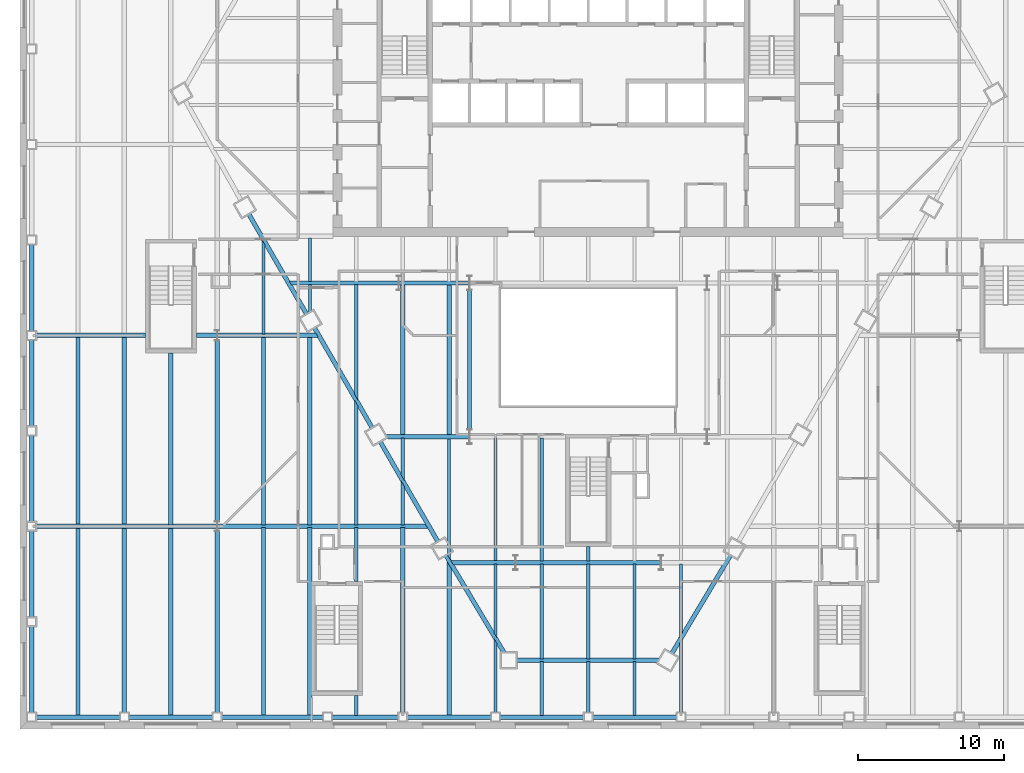
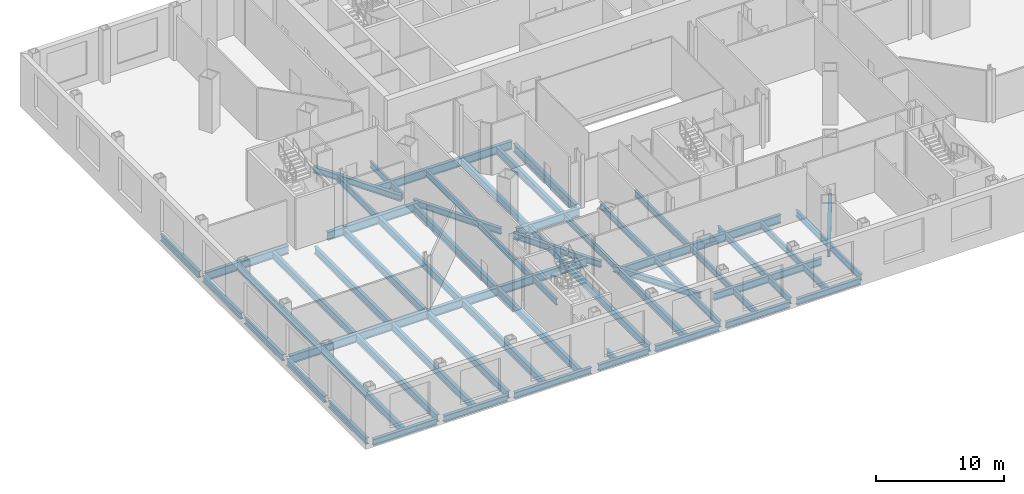
# One storey, part 4 of 20: 68 beams.
"""IFC4 building model written with IfcOpenShell, lengths in metres."""

from ifc_helpers import new_model, si_unit, direction, frame, origin, origin_2d, place, context, subcontext, project, spatial, i_section, extrude, clip, halfspace, material, material_profile, profile_set, type_object, element, save


model = new_model("IFC4")

# Units and contexts
model_context = context("Model", 3, precision=1e-05, world=origin(), true_north=direction((0.0, 1.0)))
body_context = subcontext(model_context, "Body", "Model", "MODEL_VIEW")
ifc_project = project(units=[si_unit("LENGTHUNIT", "METRE"), si_unit("AREAUNIT", "SQUARE_METRE"), si_unit("VOLUMEUNIT", "CUBIC_METRE"), si_unit("PLANEANGLEUNIT", "RADIAN"), si_unit("MASSUNIT", "GRAM", prefix="KILO")], contexts=[model_context])

# Site, building, storey
site_placement = place(None, origin())
site = spatial("IfcSite", under=ifc_project, at=site_placement, CompositionType="ELEMENT")
building_placement = place(site_placement, origin())
building = spatial("IfcBuilding", under=site, at=building_placement, Name="Njiva Tower", CompositionType="ELEMENT")
storey_placement = place(building_placement, frame((0.0, 0.0, 18.6)))
storey = spatial("IfcBuildingStorey", under=building, at=storey_placement, Name="L03", CompositionType="ELEMENT", Elevation=18.6)

# Beams
ifc_material = material(Name="Steel S355 J2", Category="steel")
ifc_material_profile_1 = material_profile(ifc_material, i_section(OverallWidth=0.3, OverallDepth=0.69, WebThickness=0.0145, FlangeThickness=0.027, at=origin_2d()), Name="HEA 700")
ifc_profile_set_1 = profile_set([ifc_material_profile_1], Name="Steel S355 J2")
beam_type_1 = type_object("IfcBeamType", Name="B1 Long-span spandrel beam HEA 700", PredefinedType="SPANDREL", material=ifc_profile_set_1)
beam_1_placement = place(storey_placement, frame((-4.911, -29.096, -0.565), z_axis=(1.0, 0.0, 0.0), x_axis=(0.0, 1.0, 0.0)))
element("IfcBeam", 1, at=beam_1_placement, inside=storey, type_object=beam_type_1, Name="Long-span spandrel beam L03-B160", PredefinedType="SPANDREL", context=body_context, shape_type="Clipping", body=[
    clip(extrude(i_section(OverallWidth=0.3, OverallDepth=0.69, WebThickness=0.0145, FlangeThickness=0.027, at=origin_2d()), origin(), (0.0, 0.0, 1.0), 9.844), halfspace(frame((-0.0254, 0.0, 9.7223), z_axis=(-0.499998009787, 0.0, 0.866026552831), x_axis=(0.0, 1.0, 0.0)), False)),
])
ifc_material_profile_2 = material_profile(ifc_material, i_section(OverallWidth=0.3, OverallDepth=0.69, WebThickness=0.0145, FlangeThickness=0.027, at=origin_2d()), Name="HEA 700")
ifc_profile_set_2 = profile_set([ifc_material_profile_2], Name="Steel S355 J2")
beam_type_2 = type_object("IfcBeamType", Name="B12 Long-span floor joist HEA 700", PredefinedType="JOIST", material=ifc_profile_set_2)
for number, where, z_axis, x_axis, name in (
    (2, (-35.017, -6.9, -0.565), (0.0, -1.0, 0.0), (1.0, 0.0, 0.0), "Long-span floor joist L03-B037"),
    (3, (-35.017, -20.0, -0.565), (0.0, -1.0, 0.0), (1.0, 0.0, 0.0), "Long-span floor joist L03-B036"),
    (4, (-31.833, -6.9, -0.565), (0.0, -1.0, 0.0), (1.0, 0.0, 0.0), "Long-span floor joist L03-B041"),
):
    element("IfcBeam", number, at=place(storey_placement, frame(where, z_axis=z_axis, x_axis=x_axis)), inside=storey, type_object=beam_type_2, Name=name, PredefinedType="JOIST", context=body_context, shape_type="SweptSolid", body=[
        extrude(i_section(OverallWidth=0.3, OverallDepth=0.69, WebThickness=0.0145, FlangeThickness=0.027, at=origin_2d()), origin(), (0.0, 0.0, 1.0), 12.9),
    ])
beam_2_placement = place(storey_placement, frame((-31.833, -20.0, -0.565), z_axis=(0.0, -1.0, 0.0), x_axis=(1.0, 0.0, 0.0)))
element("IfcBeam", 5, at=beam_2_placement, inside=storey, type_object=beam_type_2, Name="Long-span floor joist L03-B040", PredefinedType="JOIST", context=body_context, shape_type="SweptSolid", body=[
    extrude(i_section(OverallWidth=0.3, OverallDepth=0.69, WebThickness=0.0145, FlangeThickness=0.027, at=origin_2d()), origin(), (0.0, 0.0, 1.0), 12.7),
])
beam_3_placement = place(storey_placement, frame((-28.65, -8.0, -0.565), z_axis=(0.0, -1.0, 0.0), x_axis=(1.0, 0.0, 0.0)))
element("IfcBeam", 6, at=beam_3_placement, inside=storey, type_object=beam_type_2, Name="Long-span floor joist L03-B045", PredefinedType="JOIST", context=body_context, shape_type="SweptSolid", body=[
    extrude(i_section(OverallWidth=0.3, OverallDepth=0.69, WebThickness=0.0145, FlangeThickness=0.027, at=origin_2d()), origin(), (0.0, 0.0, 1.0), 11.8),
])
beam_4_placement = place(storey_placement, frame((-28.65, -20.0, -0.565), z_axis=(0.0, -1.0, 0.0), x_axis=(1.0, 0.0, 0.0)))
element("IfcBeam", 7, at=beam_4_placement, inside=storey, type_object=beam_type_2, Name="Long-span floor joist L03-B044", PredefinedType="JOIST", context=body_context, shape_type="SweptSolid", body=[
    extrude(i_section(OverallWidth=0.3, OverallDepth=0.69, WebThickness=0.0145, FlangeThickness=0.027, at=origin_2d()), origin(), (0.0, 0.0, 1.0), 12.9),
])
beam_5_placement = place(storey_placement, frame((-25.467, -7.108, -0.565), z_axis=(0.0, -1.0, 0.0), x_axis=(1.0, 0.0, 0.0)))
element("IfcBeam", 8, at=beam_5_placement, inside=storey, type_object=beam_type_2, Name="Long-span floor joist L03-B049", PredefinedType="JOIST", context=body_context, shape_type="SweptSolid", body=[
    extrude(i_section(OverallWidth=0.3, OverallDepth=0.69, WebThickness=0.0145, FlangeThickness=0.027, at=origin_2d()), origin(), (0.0, 0.0, 1.0), 12.484),
])
beam_6_placement = place(storey_placement, frame((-25.467, -20.208, -0.565), z_axis=(0.0, -1.0, 0.0), x_axis=(1.0, 0.0, 0.0)))
element("IfcBeam", 9, at=beam_6_placement, inside=storey, type_object=beam_type_2, Name="Long-span floor joist L03-B048", PredefinedType="JOIST", context=body_context, shape_type="SweptSolid", body=[
    extrude(i_section(OverallWidth=0.3, OverallDepth=0.69, WebThickness=0.0145, FlangeThickness=0.027, at=origin_2d()), origin(), (0.0, 0.0, 1.0), 12.492),
])
for number, where, z_axis, x_axis, name in (
    (10, (-22.283, -6.9, -0.565), (0.0, -1.0, 0.0), (1.0, 0.0, 0.0), "Long-span floor joist L03-B053"),
    (11, (-22.283, -20.001, -0.565), (0.0, -1.0, 0.0), (1.0, 0.0, 0.0), "Long-span floor joist L03-B052"),
    (12, (-19.1, -6.9, -0.565), (0.0, -1.0, 0.0), (1.0, 0.0, 0.0), "Long-span floor joist L03-B056"),
    (13, (-19.1, -20.001, -0.565), (0.0, -1.0, 0.0), (1.0, 0.0, 0.0), "Long-span floor joist L03-B055"),
):
    element("IfcBeam", number, at=place(storey_placement, frame(where, z_axis=z_axis, x_axis=x_axis)), inside=storey, type_object=beam_type_2, Name=name, PredefinedType="JOIST", context=body_context, shape_type="SweptSolid", body=[
        extrude(i_section(OverallWidth=0.3, OverallDepth=0.69, WebThickness=0.0145, FlangeThickness=0.027, at=origin_2d()), origin(), (0.0, 0.0, 1.0), 12.899),
    ])
beam_7_placement = place(storey_placement, frame((-12.733, -3.3, -0.565), z_axis=(0.0, -1.0, 0.0), x_axis=(1.0, 0.0, 0.0)))
element("IfcBeam", 14, at=beam_7_placement, inside=storey, type_object=beam_type_2, Name="Long-span floor joist L03-B067", PredefinedType="JOIST", context=body_context, shape_type="SweptSolid", body=[
    extrude(i_section(OverallWidth=0.3, OverallDepth=0.69, WebThickness=0.0145, FlangeThickness=0.027, at=origin_2d()), origin(), (0.0, 0.0, 1.0), 10.35),
])
beam_8_placement = place(storey_placement, frame((-12.733, -20.001, -0.565), z_axis=(0.0, -1.0, 0.0), x_axis=(1.0, 0.0, 0.0)))
element("IfcBeam", 15, at=beam_8_placement, inside=storey, type_object=beam_type_2, Name="Long-span floor joist L03-B064", PredefinedType="JOIST", context=body_context, shape_type="SweptSolid", body=[
    extrude(i_section(OverallWidth=0.3, OverallDepth=0.69, WebThickness=0.0145, FlangeThickness=0.027, at=origin_2d()), origin(), (0.0, 0.0, 1.0), 12.699),
])
beam_9_placement = place(storey_placement, frame((-9.55, -3.3, -0.565), z_axis=(0.0, -1.0, 0.0), x_axis=(1.0, 0.0, 0.0)))
element("IfcBeam", 16, at=beam_9_placement, inside=storey, type_object=beam_type_2, Name="Long-span floor joist L03-B071", PredefinedType="JOIST", context=body_context, shape_type="SweptSolid", body=[
    extrude(i_section(OverallWidth=0.3, OverallDepth=0.69, WebThickness=0.0145, FlangeThickness=0.027, at=origin_2d()), origin(), (0.0, 0.0, 1.0), 10.35),
])
beam_10_placement = place(storey_placement, frame((-9.55, -22.243, -0.565), z_axis=(0.0, -1.0, 0.0), x_axis=(1.0, 0.0, 0.0)))
element("IfcBeam", 17, at=beam_10_placement, inside=storey, type_object=beam_type_2, Name="Long-span floor joist L03-B069", PredefinedType="JOIST", context=body_context, shape_type="Clipping", body=[
    clip(extrude(i_section(OverallWidth=0.3, OverallDepth=0.69, WebThickness=0.0145, FlangeThickness=0.027, at=origin_2d()), origin(), (0.0, 0.0, 1.0), 10.657), halfspace(frame((0.0429, 0.0, 0.2758), z_axis=(0.858483100847, 0.0, -0.512841852388), x_axis=(0.0, -1.0, 0.0)), False)),
])
ifc_material_profile_3 = material_profile(ifc_material, i_section(OverallWidth=0.22, OverallDepth=0.6, WebThickness=0.012, FlangeThickness=0.019, at=origin_2d()), Name="IPE 600")
ifc_profile_set_3 = profile_set([ifc_material_profile_3], Name="Steel S355 J2")
beam_type_3 = type_object("IfcBeamType", Name="B13 Floor joist IPE 600", PredefinedType="JOIST", material=ifc_profile_set_3)
beam_11_placement = place(storey_placement, frame((-22.283, -0.215, -0.52), z_axis=(0.0, -1.0, 0.0), x_axis=(1.0, 0.0, 0.0)))
element("IfcBeam", 18, at=beam_11_placement, inside=storey, type_object=beam_type_3, Name="Floor joist L03-B054", PredefinedType="JOIST", context=body_context, shape_type="Clipping", body=[
    clip(extrude(i_section(OverallWidth=0.22, OverallDepth=0.6, WebThickness=0.012, FlangeThickness=0.019, at=origin_2d()), origin(), (0.0, 0.0, 1.0), 6.485), halfspace(frame((0.043, 0.0, 0.2859), z_axis=(0.866026552831, 0.0, -0.499998009787), x_axis=(0.0, -1.0, 0.0)), False)),
])
beam_12_placement = place(storey_placement, frame((-15.917, -3.3, -0.52), z_axis=(0.0, -1.0, 0.0), x_axis=(1.0, 0.0, 0.0)))
element("IfcBeam", 19, at=beam_12_placement, inside=storey, type_object=beam_type_3, Name="Floor joist L03-B062", PredefinedType="JOIST", context=body_context, shape_type="Clipping", body=[
    clip(extrude(i_section(OverallWidth=0.22, OverallDepth=0.6, WebThickness=0.012, FlangeThickness=0.019, at=origin_2d()), origin(), (0.0, 0.0, 1.0), 7.964), halfspace(frame((-0.043, 0.0, 7.6783), z_axis=(-0.866026552831, 0.0, 0.499998009787), x_axis=(0.0, 1.0, 0.0)), False)),
])
beam_13_placement = place(storey_placement, frame((-15.917, -11.242, -0.52), z_axis=(0.0, -1.0, 0.0), x_axis=(1.0, 0.0, 0.0)))
element("IfcBeam", 20, at=beam_13_placement, inside=storey, type_object=beam_type_3, Name="Floor joist L03-B061", PredefinedType="JOIST", context=body_context, shape_type="Clipping", body=[
    clip(extrude(i_section(OverallWidth=0.22, OverallDepth=0.6, WebThickness=0.012, FlangeThickness=0.019, at=origin_2d()), origin(), (0.0, 0.0, 1.0), 8.557), halfspace(frame((0.0436, 0.0, 0.2863), z_axis=(0.866026552831, 0.0, -0.499998009787), x_axis=(0.0, -1.0, 0.0)), False)),
])
beam_14_placement = place(storey_placement, frame((-9.55, -13.85, -0.52), z_axis=(0.0, -1.0, 0.0), x_axis=(1.0, 0.0, 0.0)))
element("IfcBeam", 21, at=beam_14_placement, inside=storey, type_object=beam_type_3, Name="Floor joist L03-B070", PredefinedType="JOIST", context=body_context, shape_type="Clipping", body=[
    clip(extrude(i_section(OverallWidth=0.22, OverallDepth=0.6, WebThickness=0.012, FlangeThickness=0.019, at=origin_2d()), origin(), (0.0, 0.0, 1.0), 8.411), halfspace(frame((-0.0429, 0.0, 8.1351), z_axis=(-0.858483100847, 0.0, 0.512841852388), x_axis=(0.0, 1.0, 0.0)), False)),
])
beam_15_placement = place(storey_placement, frame((-6.367, -13.851, -0.52), z_axis=(0.0, -1.0, 0.0), x_axis=(1.0, 0.0, 0.0)))
element("IfcBeam", 22, at=beam_15_placement, inside=storey, type_object=beam_type_3, Name="Floor joist L03-B075", PredefinedType="JOIST", context=body_context, shape_type="SweptSolid", body=[
    extrude(i_section(OverallWidth=0.22, OverallDepth=0.6, WebThickness=0.012, FlangeThickness=0.019, at=origin_2d()), origin(), (0.0, 0.0, 1.0), 8.449),
])
beam_16_placement = place(storey_placement, frame((-6.367, -22.5, -0.52), z_axis=(0.0, -1.0, 0.0), x_axis=(1.0, 0.0, 0.0)))
element("IfcBeam", 23, at=beam_16_placement, inside=storey, type_object=beam_type_3, Name="Floor joist L03-B074", PredefinedType="JOIST", context=body_context, shape_type="Clipping", body=[
    clip(extrude(i_section(OverallWidth=0.22, OverallDepth=0.6, WebThickness=0.012, FlangeThickness=0.019, at=origin_2d()), origin(), (0.0, 0.0, 1.0), 5.09), halfspace(frame((-0.0426, 0.0, 4.8139), z_axis=(-0.858483100847, 0.0, 0.512841852388), x_axis=(0.0, 1.0, 0.0)), False)),
])
beam_17_placement = place(storey_placement, frame((-6.367, -27.572, -0.52), z_axis=(0.0, -1.0, 0.0), x_axis=(1.0, 0.0, 0.0)))
element("IfcBeam", 24, at=beam_17_placement, inside=storey, type_object=beam_type_3, Name="Floor joist L03-B073", PredefinedType="JOIST", context=body_context, shape_type="Clipping", body=[
    clip(extrude(i_section(OverallWidth=0.22, OverallDepth=0.6, WebThickness=0.012, FlangeThickness=0.019, at=origin_2d()), origin(), (0.0, 0.0, 1.0), 5.128), halfspace(frame((0.0433, 0.0, 0.2756), z_axis=(0.858483100847, 0.0, -0.512841852388), x_axis=(0.0, -1.0, 0.0)), False)),
])
beam_18_placement = place(storey_placement, frame((-3.183, -13.851, -0.52), z_axis=(0.0, -1.0, 0.0), x_axis=(1.0, 0.0, 0.0)))
element("IfcBeam", 25, at=beam_18_placement, inside=storey, type_object=beam_type_3, Name="Floor joist L03-B079", PredefinedType="JOIST", context=body_context, shape_type="SweptSolid", body=[
    extrude(i_section(OverallWidth=0.22, OverallDepth=0.6, WebThickness=0.012, FlangeThickness=0.019, at=origin_2d()), origin(), (0.0, 0.0, 1.0), 8.449),
])
for number, where, z_axis, x_axis, name in (
    (26, (-3.183, -22.5, -0.52), (0.0, -1.0, 0.0), (1.0, 0.0, 0.0), "Floor joist L03-B078"),
    (27, (0.0, -22.5, -0.52), (0.0, -1.0, 0.0), (1.0, 0.0, 0.0), "Floor joist L03-B082"),
    (28, (3.183, -22.5, -0.52), (0.0, -1.0, 0.0), (1.0, 0.0, 0.0), "Floor joist L03-B086"),
):
    element("IfcBeam", number, at=place(storey_placement, frame(where, z_axis=z_axis, x_axis=x_axis)), inside=storey, type_object=beam_type_3, Name=name, PredefinedType="JOIST", context=body_context, shape_type="SweptSolid", body=[
        extrude(i_section(OverallWidth=0.22, OverallDepth=0.6, WebThickness=0.012, FlangeThickness=0.019, at=origin_2d()), origin(), (0.0, 0.0, 1.0), 6.496),
    ])
beam_19_placement = place(storey_placement, frame((6.367, -22.5, -0.52), z_axis=(0.0, -1.0, 0.0), x_axis=(1.0, 0.0, 0.0)))
element("IfcBeam", 29, at=beam_19_placement, inside=storey, type_object=beam_type_3, Name="Floor joist L03-B090", PredefinedType="JOIST", context=body_context, shape_type="Clipping", body=[
    clip(extrude(i_section(OverallWidth=0.22, OverallDepth=0.6, WebThickness=0.012, FlangeThickness=0.019, at=origin_2d()), origin(), (0.0, 0.0, 1.0), 5.09), halfspace(frame((0.0426, 0.0, 4.8139), z_axis=(0.858483100847, 0.0, 0.512841852388), x_axis=(0.0, 1.0, 0.0)), False)),
])
beam_20_placement = place(storey_placement, frame((6.367, -27.572, -0.52), z_axis=(0.0, -1.0, 0.0), x_axis=(1.0, 0.0, 0.0)))
element("IfcBeam", 30, at=beam_20_placement, inside=storey, type_object=beam_type_3, Name="Floor joist L03-B089", PredefinedType="JOIST", context=body_context, shape_type="Clipping", body=[
    clip(extrude(i_section(OverallWidth=0.22, OverallDepth=0.6, WebThickness=0.012, FlangeThickness=0.019, at=origin_2d()), origin(), (0.0, 0.0, 1.0), 5.128), halfspace(frame((-0.0433, 0.0, 0.2756), z_axis=(-0.858483100847, 0.0, -0.512841852388), x_axis=(0.0, -1.0, 0.0)), False)),
])
ifc_material_profile_4 = material_profile(ifc_material, i_section(OverallWidth=0.22, OverallDepth=0.6, WebThickness=0.012, FlangeThickness=0.019, at=origin_2d()), Name="IPE 600")
ifc_profile_set_4 = profile_set([ifc_material_profile_4], Name="Steel S355 J2")
beam_type_4 = type_object("IfcBeamType", Name="B14 Short-span floor joist IPE 600", PredefinedType="JOIST", material=ifc_profile_set_4)
beam_21_placement = place(storey_placement, frame((-19.1, -0.1, -0.52), z_axis=(0.0, -1.0, 0.0), x_axis=(1.0, 0.0, 0.0)))
element("IfcBeam", 31, at=beam_21_placement, inside=storey, type_object=beam_type_4, Name="Short-span floor joist L03-B058", PredefinedType="JOIST", context=body_context, shape_type="SweptSolid", body=[
    extrude(i_section(OverallWidth=0.22, OverallDepth=0.6, WebThickness=0.012, FlangeThickness=0.019, at=origin_2d()), origin(), (0.0, 0.0, 1.0), 3.0),
])
beam_22_placement = place(storey_placement, frame((-19.1, -3.3, -0.52), z_axis=(0.0, -1.0, 0.0), x_axis=(1.0, 0.0, 0.0)))
element("IfcBeam", 32, at=beam_22_placement, inside=storey, type_object=beam_type_4, Name="Short-span floor joist L03-B057", PredefinedType="JOIST", context=body_context, shape_type="Clipping", body=[
    clip(extrude(i_section(OverallWidth=0.22, OverallDepth=0.6, WebThickness=0.012, FlangeThickness=0.019, at=origin_2d()), origin(), (0.0, 0.0, 1.0), 1.978), halfspace(frame((0.025, 0.0, 1.88), z_axis=(0.499998009787, 0.0, 0.866026552831), x_axis=(0.0, 1.0, 0.0)), False)),
])
beam_23_placement = place(storey_placement, frame((-15.917, -20.001, -0.52), z_axis=(0.0, -1.0, 0.0), x_axis=(1.0, 0.0, 0.0)))
element("IfcBeam", 33, at=beam_23_placement, inside=storey, type_object=beam_type_4, Name="Short-span floor joist L03-B060", PredefinedType="JOIST", context=body_context, shape_type="SweptSolid", body=[
    extrude(i_section(OverallWidth=0.22, OverallDepth=0.6, WebThickness=0.012, FlangeThickness=0.019, at=origin_2d()), origin(), (0.0, 0.0, 1.0), 3.699),
])
beam_24_placement = place(storey_placement, frame((-15.917, -31.5, -0.52), z_axis=(0.0, -1.0, 0.0), x_axis=(1.0, 0.0, 0.0)))
element("IfcBeam", 34, at=beam_24_placement, inside=storey, type_object=beam_type_4, Name="Short-span floor joist L03-B059", PredefinedType="JOIST", context=body_context, shape_type="SweptSolid", body=[
    extrude(i_section(OverallWidth=0.22, OverallDepth=0.6, WebThickness=0.012, FlangeThickness=0.019, at=origin_2d()), origin(), (0.0, 0.0, 1.0), 1.4),
])
beam_25_placement = place(storey_placement, frame((-12.733, -13.85, -0.52), z_axis=(0.0, -1.0, 0.0), x_axis=(1.0, 0.0, 0.0)))
element("IfcBeam", 35, at=beam_25_placement, inside=storey, type_object=beam_type_4, Name="Short-span floor joist L03-B066", PredefinedType="JOIST", context=body_context, shape_type="Clipping", body=[
    clip(extrude(i_section(OverallWidth=0.22, OverallDepth=0.6, WebThickness=0.012, FlangeThickness=0.019, at=origin_2d()), origin(), (0.0, 0.0, 1.0), 2.928), halfspace(frame((-0.0436, 0.0, 2.642), z_axis=(-0.866026552831, 0.0, 0.499998009787), x_axis=(0.0, 1.0, 0.0)), False)),
])
beam_26_placement = place(storey_placement, frame((-12.733, -16.756, -0.52), z_axis=(0.0, -1.0, 0.0), x_axis=(1.0, 0.0, 0.0)))
element("IfcBeam", 36, at=beam_26_placement, inside=storey, type_object=beam_type_4, Name="Short-span floor joist L03-B065", PredefinedType="JOIST", context=body_context, shape_type="Clipping", body=[
    clip(extrude(i_section(OverallWidth=0.22, OverallDepth=0.6, WebThickness=0.012, FlangeThickness=0.019, at=origin_2d()), origin(), (0.0, 0.0, 1.0), 3.043), halfspace(frame((0.043, 0.0, 0.286), z_axis=(0.866026552831, 0.0, -0.499998009787), x_axis=(0.0, -1.0, 0.0)), False)),
])
beam_27_placement = place(storey_placement, frame((-3.183, -29.196, -0.52), z_axis=(0.0, -1.0, 0.0), x_axis=(1.0, 0.0, 0.0)))
element("IfcBeam", 37, at=beam_27_placement, inside=storey, type_object=beam_type_4, Name="Short-span floor joist L03-B077", PredefinedType="JOIST", context=body_context, shape_type="SweptSolid", body=[
    extrude(i_section(OverallWidth=0.22, OverallDepth=0.6, WebThickness=0.012, FlangeThickness=0.019, at=origin_2d()), origin(), (0.0, 0.0, 1.0), 3.704),
])
beam_28_placement = place(storey_placement, frame((0.0, -21.3, -0.52), z_axis=(0.0, -1.0, 0.0), x_axis=(1.0, 0.0, 0.0)))
element("IfcBeam", 38, at=beam_28_placement, inside=storey, type_object=beam_type_4, Name="Short-span floor joist L03-B083", PredefinedType="JOIST", context=body_context, shape_type="SweptSolid", body=[
    extrude(i_section(OverallWidth=0.22, OverallDepth=0.6, WebThickness=0.012, FlangeThickness=0.019, at=origin_2d()), origin(), (0.0, 0.0, 1.0), 1.0),
])
beam_29_placement = place(storey_placement, frame((0.0, -29.196, -0.52), z_axis=(0.0, -1.0, 0.0), x_axis=(1.0, 0.0, 0.0)))
element("IfcBeam", 39, at=beam_29_placement, inside=storey, type_object=beam_type_4, Name="Short-span floor joist L03-B081", PredefinedType="JOIST", context=body_context, shape_type="SweptSolid", body=[
    extrude(i_section(OverallWidth=0.22, OverallDepth=0.6, WebThickness=0.012, FlangeThickness=0.019, at=origin_2d()), origin(), (0.0, 0.0, 1.0), 3.504),
])
beam_30_placement = place(storey_placement, frame((3.183, -29.196, -0.52), z_axis=(0.0, -1.0, 0.0), x_axis=(1.0, 0.0, 0.0)))
element("IfcBeam", 40, at=beam_30_placement, inside=storey, type_object=beam_type_4, Name="Short-span floor joist L03-B085", PredefinedType="JOIST", context=body_context, shape_type="SweptSolid", body=[
    extrude(i_section(OverallWidth=0.22, OverallDepth=0.6, WebThickness=0.012, FlangeThickness=0.019, at=origin_2d()), origin(), (0.0, 0.0, 1.0), 3.704),
])
ifc_material_profile_5 = material_profile(ifc_material, i_section(OverallWidth=0.3, OverallDepth=0.6, WebThickness=0.0155, FlangeThickness=0.03, at=origin_2d()), Name="HEB 600")
ifc_profile_set_5 = profile_set([ifc_material_profile_5], Name="Steel S355 J2")
beam_type_5 = type_object("IfcBeamType", Name="B2 Spandrel beam HEB 600", PredefinedType="SPANDREL", material=ifc_profile_set_5)
beam_31_placement = place(storey_placement, frame((-23.294, 1.524, -0.52), z_axis=(0.500025004646, -0.866010966864, 0.0), x_axis=(0.866010966864, 0.500025004646, 0.0)))
element("IfcBeam", 41, at=beam_31_placement, inside=storey, type_object=beam_type_5, Name="Spandrel beam L03-B150", PredefinedType="SPANDREL", context=body_context, shape_type="SweptSolid", body=[
    extrude(i_section(OverallWidth=0.3, OverallDepth=0.6, WebThickness=0.0155, FlangeThickness=0.03, at=origin_2d()), origin(), (0.0, 0.0, 1.0), 7.9156),
])
beam_32_placement = place(storey_placement, frame((-18.786, -6.283, -0.52), z_axis=(0.499970304126, -0.866042548026, 0.0), x_axis=(0.866042548026, 0.499970304126, 0.0)))
element("IfcBeam", 42, at=beam_32_placement, inside=storey, type_object=beam_type_5, Name="Spandrel beam L03-B152", PredefinedType="SPANDREL", context=body_context, shape_type="SweptSolid", body=[
    extrude(i_section(OverallWidth=0.3, OverallDepth=0.6, WebThickness=0.0155, FlangeThickness=0.03, at=origin_2d()), origin(), (0.0, 0.0, 1.0), 7.9165),
])
beam_33_placement = place(storey_placement, frame((-14.278, -14.091, -0.52), z_axis=(0.499930249268, -0.866065670643, 0.0), x_axis=(0.866065670643, 0.499930249268, 0.0)))
element("IfcBeam", 43, at=beam_33_placement, inside=storey, type_object=beam_type_5, Name="Spandrel beam L03-B154", PredefinedType="SPANDREL", context=body_context, shape_type="SweptSolid", body=[
    extrude(i_section(OverallWidth=0.3, OverallDepth=0.6, WebThickness=0.0155, FlangeThickness=0.03, at=origin_2d()), origin(), (0.0, 0.0, 1.0), 7.9151),
])
beam_34_placement = place(storey_placement, frame((-9.763, -21.896, -0.52), z_axis=(0.512881198595, -0.85845959493, 0.0), x_axis=(0.85845959493, 0.512881198595, 0.0)))
element("IfcBeam", 44, at=beam_34_placement, inside=storey, type_object=beam_type_5, Name="Spandrel beam L03-B157", PredefinedType="SPANDREL", context=body_context, shape_type="Clipping", body=[
    clip(extrude(i_section(OverallWidth=0.3, OverallDepth=0.6, WebThickness=0.0155, FlangeThickness=0.03, at=origin_2d()), origin(), (0.0, 0.0, 1.0), 7.8564), halfspace(frame((-0.0257, 0.0, 7.7311), z_axis=(-0.512881198595, 0.0, 0.85845959493), x_axis=(0.0, 1.0, 0.0)), False)),
])
beam_35_placement = place(storey_placement, frame((5.744, -28.623, -0.52), z_axis=(0.512880901609, 0.858459772362, 0.0), x_axis=(-0.858459772362, 0.512880901609, 0.0)))
element("IfcBeam", 45, at=beam_35_placement, inside=storey, type_object=beam_type_5, Name="Spandrel beam L03-B164", PredefinedType="SPANDREL", context=body_context, shape_type="SweptSolid", body=[
    extrude(i_section(OverallWidth=0.3, OverallDepth=0.6, WebThickness=0.0155, FlangeThickness=0.03, at=origin_2d()), origin(), (0.0, 0.0, 1.0), 7.8361),
])
for number, where, z_axis, x_axis, name in (
    (46, (-38.2, -0.55, -0.52), (0.0, -1.0, 0.0), (1.0, 0.0, 0.0), "Spandrel beam L03-B138"),
    (47, (-38.2, -7.1, -0.52), (0.0, -1.0, 0.0), (1.0, 0.0, 0.0), "Spandrel beam L03-B137"),
    (48, (-38.2, -13.65, -0.52), (0.0, -1.0, 0.0), (1.0, 0.0, 0.0), "Spandrel beam L03-B136"),
    (49, (-38.2, -20.2, -0.52), (0.0, -1.0, 0.0), (1.0, 0.0, 0.0), "Spandrel beam L03-B135"),
    (50, (-38.2, -26.75, -0.52), (0.0, -1.0, 0.0), (1.0, 0.0, 0.0), "Spandrel beam L03-B134"),
):
    element("IfcBeam", number, at=place(storey_placement, frame(where, z_axis=z_axis, x_axis=x_axis)), inside=storey, type_object=beam_type_5, Name=name, PredefinedType="SPANDREL", context=body_context, shape_type="SweptSolid", body=[
        extrude(i_section(OverallWidth=0.3, OverallDepth=0.6, WebThickness=0.0155, FlangeThickness=0.03, at=origin_2d()), origin(), (0.0, 0.0, 1.0), 5.95),
    ])
beam_36_placement = place(storey_placement, frame((-37.9, -33.0, -0.52), z_axis=(1.0, 0.0, 0.0), x_axis=(0.0, 1.0, 0.0)))
element("IfcBeam", 51, at=beam_36_placement, inside=storey, type_object=beam_type_5, Name="Spandrel beam L03-B142", PredefinedType="SPANDREL", context=body_context, shape_type="SweptSolid", body=[
    extrude(i_section(OverallWidth=0.3, OverallDepth=0.6, WebThickness=0.0155, FlangeThickness=0.03, at=origin_2d()), origin(), (0.0, 0.0, 1.0), 5.767),
])
beam_37_placement = place(storey_placement, frame((-31.533, -33.0, -0.52), z_axis=(1.0, 0.0, 0.0), x_axis=(0.0, 1.0, 0.0)))
element("IfcBeam", 52, at=beam_37_placement, inside=storey, type_object=beam_type_5, Name="Spandrel beam L03-B144", PredefinedType="SPANDREL", context=body_context, shape_type="SweptSolid", body=[
    extrude(i_section(OverallWidth=0.3, OverallDepth=0.6, WebThickness=0.0155, FlangeThickness=0.03, at=origin_2d()), origin(), (0.0, 0.0, 1.0), 5.766),
])
beam_38_placement = place(storey_placement, frame((-25.167, -33.0, -0.52), z_axis=(1.0, 0.0, 0.0), x_axis=(0.0, 1.0, 0.0)))
element("IfcBeam", 53, at=beam_38_placement, inside=storey, type_object=beam_type_5, Name="Spandrel beam L03-B148", PredefinedType="SPANDREL", context=body_context, shape_type="SweptSolid", body=[
    extrude(i_section(OverallWidth=0.3, OverallDepth=0.6, WebThickness=0.0155, FlangeThickness=0.03, at=origin_2d()), origin(), (0.0, 0.0, 1.0), 6.967),
])
beam_39_placement = place(storey_placement, frame((-17.6, -33.0, -0.52), z_axis=(1.0, 0.0, 0.0), x_axis=(0.0, 1.0, 0.0)))
element("IfcBeam", 54, at=beam_39_placement, inside=storey, type_object=beam_type_5, Name="Spandrel beam L03-B153", PredefinedType="SPANDREL", context=body_context, shape_type="SweptSolid", body=[
    extrude(i_section(OverallWidth=0.3, OverallDepth=0.6, WebThickness=0.0155, FlangeThickness=0.03, at=origin_2d()), origin(), (0.0, 0.0, 1.0), 4.567),
])
beam_40_placement = place(storey_placement, frame((-12.433, -33.0, -0.52), z_axis=(1.0, 0.0, 0.0), x_axis=(0.0, 1.0, 0.0)))
element("IfcBeam", 55, at=beam_40_placement, inside=storey, type_object=beam_type_5, Name="Spandrel beam L03-B156", PredefinedType="SPANDREL", context=body_context, shape_type="SweptSolid", body=[
    extrude(i_section(OverallWidth=0.3, OverallDepth=0.6, WebThickness=0.0155, FlangeThickness=0.03, at=origin_2d()), origin(), (0.0, 0.0, 1.0), 5.766),
])
for number, where, z_axis, x_axis, name in (
    (56, (-6.067, -33.0, -0.52), (1.0, 0.0, 0.0), (0.0, 1.0, 0.0), "Spandrel beam L03-B158"),
    (57, (0.3, -33.0, -0.52), (1.0, 0.0, 0.0), (0.0, 1.0, 0.0), "Spandrel beam L03-B162"),
):
    element("IfcBeam", number, at=place(storey_placement, frame(where, z_axis=z_axis, x_axis=x_axis)), inside=storey, type_object=beam_type_5, Name=name, PredefinedType="SPANDREL", context=body_context, shape_type="SweptSolid", body=[
        extrude(i_section(OverallWidth=0.3, OverallDepth=0.6, WebThickness=0.0155, FlangeThickness=0.03, at=origin_2d()), origin(), (0.0, 0.0, 1.0), 5.767),
    ])
ifc_material_profile_6 = material_profile(ifc_material, i_section(OverallWidth=0.3, OverallDepth=0.79, WebThickness=0.015, FlangeThickness=0.028, at=origin_2d()), Name="HEA 800")
ifc_profile_set_6 = profile_set([ifc_material_profile_6], Name="Steel S355 J2")
beam_type_6 = type_object("IfcBeamType", Name="B4 Floor girder HEA 800", PredefinedType="BEAM", material=ifc_profile_set_6)
beam_41_placement = place(storey_placement, frame((-20.558, -3.2, -0.615), z_axis=(1.0, 0.0, 0.0), x_axis=(0.0, 1.0, 0.0)))
element("IfcBeam", 58, at=beam_41_placement, inside=storey, type_object=beam_type_6, Name="Floor girder L03-B020", PredefinedType="BEAM", context=body_context, shape_type="Clipping", body=[
    clip(extrude(i_section(OverallWidth=0.3, OverallDepth=0.79, WebThickness=0.015, FlangeThickness=0.028, at=origin_2d()), origin(), (0.0, 0.0, 1.0), 7.558), halfspace(frame((-0.025, 0.0, 0.1217), z_axis=(-0.499998009787, 0.0, -0.866026552831), x_axis=(0.0, -1.0, 0.0)), False)),
])
beam_42_placement = place(storey_placement, frame((-13.0, -3.2, -0.615), z_axis=(1.0, 0.0, 0.0), x_axis=(0.0, 1.0, 0.0)))
element("IfcBeam", 59, at=beam_42_placement, inside=storey, type_object=beam_type_6, Name="Floor girder L03-B022", PredefinedType="BEAM", context=body_context, shape_type="SweptSolid", body=[
    extrude(i_section(OverallWidth=0.3, OverallDepth=0.79, WebThickness=0.015, FlangeThickness=0.028, at=origin_2d()), origin(), (0.0, 0.0, 1.0), 4.85),
])
beam_43_placement = place(storey_placement, frame((-13.947, -13.75, -0.615), z_axis=(1.0, 0.0, 0.0), x_axis=(0.0, 1.0, 0.0)))
element("IfcBeam", 60, at=beam_43_placement, inside=storey, type_object=beam_type_6, Name="Floor girder L03-B021", PredefinedType="BEAM", context=body_context, shape_type="Clipping", body=[
    clip(extrude(i_section(OverallWidth=0.3, OverallDepth=0.79, WebThickness=0.015, FlangeThickness=0.028, at=origin_2d()), origin(), (0.0, 0.0, 1.0), 5.797), halfspace(frame((-0.025, 0.0, 0.1215), z_axis=(-0.499998009787, 0.0, -0.866026552831), x_axis=(0.0, -1.0, 0.0)), False)),
])
beam_44_placement = place(storey_placement, frame((-37.9, -6.8, -0.615), z_axis=(1.0, 0.0, 0.0), x_axis=(0.0, 1.0, 0.0)))
element("IfcBeam", 61, at=beam_44_placement, inside=storey, type_object=beam_type_6, Name="Floor girder L03-B014", PredefinedType="BEAM", context=body_context, shape_type="SweptSolid", body=[
    extrude(i_section(OverallWidth=0.3, OverallDepth=0.79, WebThickness=0.015, FlangeThickness=0.028, at=origin_2d()), origin(), (0.0, 0.0, 1.0), 7.5),
])
beam_45_placement = place(storey_placement, frame((-25.467, -6.8, -0.615), z_axis=(1.0, 0.0, 0.0), x_axis=(0.0, 1.0, 0.0)))
element("IfcBeam", 62, at=beam_45_placement, inside=storey, type_object=beam_type_6, Name="Floor girder L03-B018", PredefinedType="BEAM", context=body_context, shape_type="Clipping", body=[
    clip(extrude(i_section(OverallWidth=0.3, OverallDepth=0.79, WebThickness=0.015, FlangeThickness=0.028, at=origin_2d()), origin(), (0.0, 0.0, 1.0), 6.971), halfspace(frame((0.025, 0.0, 6.8493), z_axis=(0.499998009787, 0.0, 0.866026552831), x_axis=(0.0, 1.0, 0.0)), False)),
])
ifc_material_profile_7 = material_profile(ifc_material, i_section(OverallWidth=0.3, OverallDepth=0.79, WebThickness=0.015, FlangeThickness=0.028, at=origin_2d()), Name="HEA 800")
ifc_profile_set_7 = profile_set([ifc_material_profile_7], Name="Steel S355 J2")
beam_type_7 = type_object("IfcBeamType", Name="B5 Short-span floor girder HEA 800", PredefinedType="BEAM", material=ifc_profile_set_7)
beam_46_placement = place(storey_placement, frame((-9.455, -22.4, -0.615), z_axis=(1.0, 0.0, 0.0), x_axis=(0.0, 1.0, 0.0)))
element("IfcBeam", 63, at=beam_46_placement, inside=storey, type_object=beam_type_7, Name="Short-span floor girder L03-B023", PredefinedType="BEAM", context=body_context, shape_type="Clipping", body=[
    clip(extrude(i_section(OverallWidth=0.3, OverallDepth=0.79, WebThickness=0.015, FlangeThickness=0.028, at=origin_2d()), origin(), (0.0, 0.0, 1.0), 4.455), halfspace(frame((-0.0256, 0.0, 0.1253), z_axis=(-0.512841852388, 0.0, -0.858483100847), x_axis=(0.0, -1.0, 0.0)), False)),
])
beam_47_placement = place(storey_placement, frame((-26.9, -6.8, -0.615), z_axis=(1.0, 0.0, 0.0), x_axis=(0.0, 1.0, 0.0)))
element("IfcBeam", 64, at=beam_47_placement, inside=storey, type_object=beam_type_7, Name="Short-span floor girder L03-B016", PredefinedType="BEAM", context=body_context, shape_type="SweptSolid", body=[
    extrude(i_section(OverallWidth=0.3, OverallDepth=0.79, WebThickness=0.015, FlangeThickness=0.028, at=origin_2d()), origin(), (0.0, 0.0, 1.0), 1.433),
])
ifc_material_profile_8 = material_profile(ifc_material, i_section(OverallWidth=0.3, OverallDepth=0.79, WebThickness=0.015, FlangeThickness=0.028, at=origin_2d()), Name="HEA 800")
ifc_profile_set_8 = profile_set([ifc_material_profile_8], Name="Steel S355 J2")
beam_type_8 = type_object("IfcBeamType", Name="B6 Long-span floor girder HEA 800", PredefinedType="BEAM", material=ifc_profile_set_8)
beam_48_placement = place(storey_placement, frame((-5.0, -22.4, -0.615), z_axis=(1.0, 0.0, 0.0), x_axis=(0.0, 1.0, 0.0)))
element("IfcBeam", 65, at=beam_48_placement, inside=storey, type_object=beam_type_8, Name="Long-span floor girder L03-B024", PredefinedType="BEAM", context=body_context, shape_type="SweptSolid", body=[
    extrude(i_section(OverallWidth=0.3, OverallDepth=0.79, WebThickness=0.015, FlangeThickness=0.028, at=origin_2d()), origin(), (0.0, 0.0, 1.0), 10.0),
])
beam_49_placement = place(storey_placement, frame((-37.9, -19.9, -0.615), z_axis=(1.0, 0.0, 0.0), x_axis=(0.0, 1.0, 0.0)))
element("IfcBeam", 66, at=beam_49_placement, inside=storey, type_object=beam_type_8, Name="Long-span floor girder L03-B013", PredefinedType="BEAM", context=body_context, shape_type="SweptSolid", body=[
    extrude(i_section(OverallWidth=0.3, OverallDepth=0.79, WebThickness=0.015, FlangeThickness=0.028, at=origin_2d()), origin(), (0.0, 0.0, 1.0), 12.433),
])
ifc_material_profile_9 = material_profile(ifc_material, i_section(OverallWidth=0.303, OverallDepth=0.814, WebThickness=0.021, FlangeThickness=0.04, at=origin_2d()), Name="HEM 800")
ifc_profile_set_9 = profile_set([ifc_material_profile_9], Name="Steel S355 J2")
beam_type_9 = type_object("IfcBeamType", Name="B7 Long-span floor girder HEM 800", PredefinedType="BEAM", material=ifc_profile_set_9)
beam_50_placement = place(storey_placement, frame((-25.467, -19.9, -0.627), z_axis=(1.0, 0.0, 0.0), x_axis=(0.0, 1.0, 0.0)))
element("IfcBeam", 67, at=beam_50_placement, inside=storey, type_object=beam_type_9, Name="Long-span floor girder L03-B017", PredefinedType="BEAM", context=body_context, shape_type="Clipping", body=[
    clip(extrude(i_section(OverallWidth=0.303, OverallDepth=0.814, WebThickness=0.021, FlangeThickness=0.04, at=origin_2d()), origin(), (0.0, 0.0, 1.0), 14.534), halfspace(frame((0.025, 0.0, 14.4126), z_axis=(0.499998009787, 0.0, 0.866026552831), x_axis=(0.0, 1.0, 0.0)), False)),
])
ifc_material_profile_10 = material_profile(ifc_material, i_section(OverallWidth=0.3, OverallDepth=0.79, WebThickness=0.015, FlangeThickness=0.028, at=origin_2d()), Name="HEA 800")
ifc_profile_set_10 = profile_set([ifc_material_profile_10], Name="Steel S355 J2")
beam_type_10 = type_object("IfcBeamType", Name="B9 Long-span atrium trimmer beam HEA 800", PredefinedType="BEAM", material=ifc_profile_set_10)
beam_51_placement = place(storey_placement, frame((-8.15, -3.654, -0.615), z_axis=(0.0, -1.0, 0.0), x_axis=(1.0, 0.0, 0.0)))
element("IfcBeam", 68, at=beam_51_placement, inside=storey, type_object=beam_type_10, Name="Long-span atrium trimmer beam L03-B131", PredefinedType="BEAM", context=body_context, shape_type="SweptSolid", body=[
    extrude(i_section(OverallWidth=0.3, OverallDepth=0.79, WebThickness=0.015, FlangeThickness=0.028, at=origin_2d()), origin(), (0.0, 0.0, 1.0), 9.642),
])

save(model, "model.ifc")
